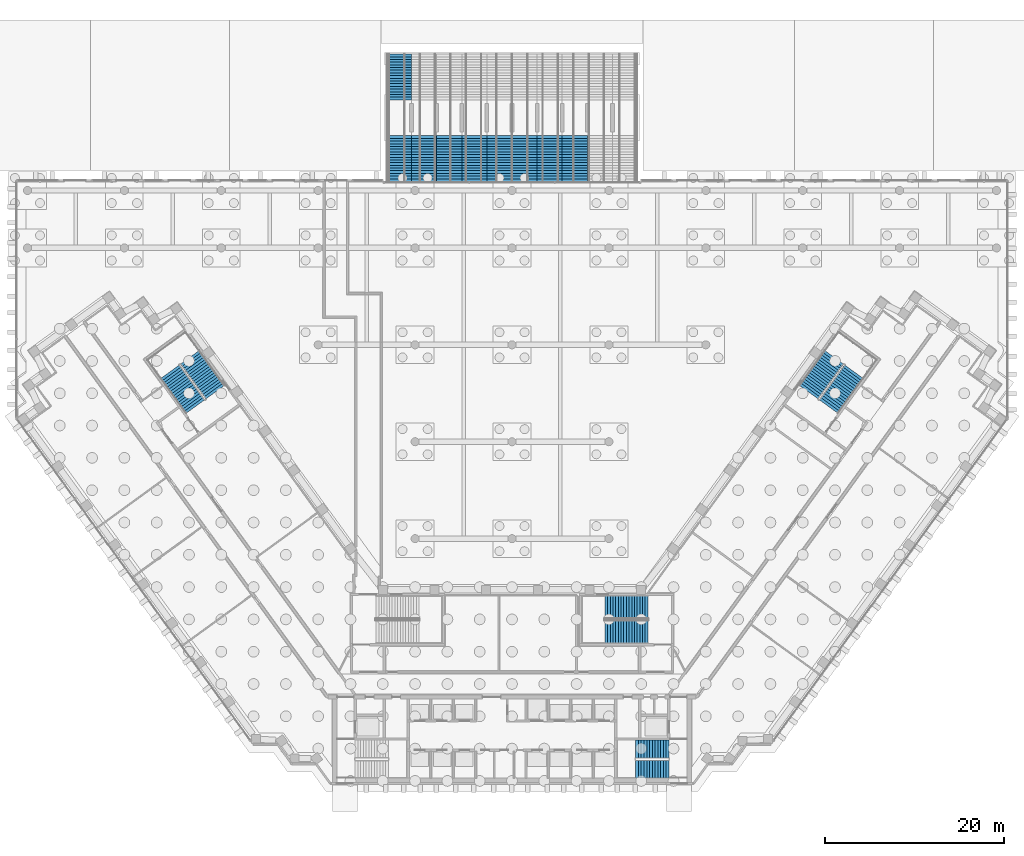
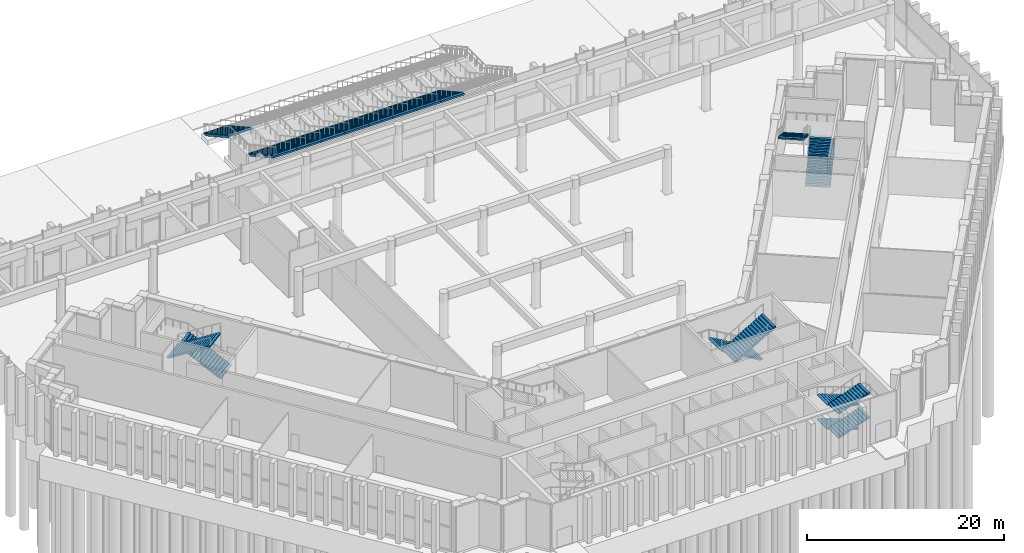
# One storey, part 23 of 32: 19 stair flights, 12 elements without a shape of their own.
"""IFC4 building model written with IfcOpenShell, lengths in metres."""

from ifc_helpers import new_model, si_unit, direction, frame, origin, place, context, subcontext, project, spatial, polyline, outline, extrude, material, type_object, element, aggregate, save


model = new_model("IFC4")

# Units and contexts
model_context = context("Model", 3, precision=1e-05, world=origin(), true_north=direction((0.0, 1.0)))
body_context = subcontext(model_context, "Body", "Model", "MODEL_VIEW")
ifc_project = project(units=[si_unit("LENGTHUNIT", "METRE"), si_unit("AREAUNIT", "SQUARE_METRE"), si_unit("VOLUMEUNIT", "CUBIC_METRE"), si_unit("PLANEANGLEUNIT", "RADIAN"), si_unit("MASSUNIT", "GRAM", prefix="KILO")], contexts=[model_context])

# Site, building, storey
site_placement = place(None, origin())
site = spatial("IfcSite", under=ifc_project, at=site_placement, CompositionType="ELEMENT")
building_placement = place(site_placement, origin())
building = spatial("IfcBuilding", under=site, at=building_placement, Name="Quipu Civic Tower", CompositionType="ELEMENT")
storey_placement = place(building_placement, origin())
storey = spatial("IfcBuildingStorey", under=building, at=storey_placement, Name="L00", CompositionType="ELEMENT", Elevation=0.0)

# Stair, stair flights
ifc_material_1 = material(Name="Concrete C40/50", Category="concrete")
stair_type_1 = type_object("IfcStairType", Name="Broad stair 2800", PredefinedType="STRAIGHT_RUN_STAIR", material=ifc_material_1)
stair_1_placement = place(storey_placement, origin())
stair_1 = element("IfcStair", 1, at=stair_1_placement, inside=storey, type_object=stair_type_1, Name="Broad garden stair", PredefinedType="STRAIGHT_RUN_STAIR")
ifc_material_2 = material(Name="Concrete C40/50", Category="concrete")
stair_flight_type_1 = type_object("IfcStairFlightType", Name="Broad stair flight 2800", PredefinedType="STRAIGHT", material=ifc_material_2)
stair_flight_1_placement = place(storey_placement, frame((-12.60009765625, 70.199951171875, 0.0), z_axis=(0.0, 0.0, 1.0), x_axis=(0.0, -1.0, 0.0)))
stair_flight_1 = element("IfcStairFlight", 2, at=stair_flight_1_placement, type_object=stair_flight_type_1, Name="BS1 flight 1", NumberOfRisers=18, NumberOfTreads=17, PredefinedType="STRAIGHT", RiserHeight=0.166666667, TreadLength=0.3, context=body_context, shape_type="SweptSolid", body=[
    extrude(outline(polyline([(0.0, 0.0), (0.0, 0.166748046875), (0.300048828125, 0.166748046875), (0.300048828125, 0.333251953125), (0.60009765625, 0.333251953125), (0.60009765625, 0.5), (0.89990234375, 0.5), (0.89990234375, 0.666748046875), (1.199951171875, 0.666748046875), (1.199951171875, 0.833251953125), (1.5, 0.833251953125), (1.5, 1.0), (1.800048828125, 1.0), (1.800048828125, 1.166748046875), (2.10009765625, 1.166748046875), (2.10009765625, 1.333251953125), (2.39990234375, 1.333251953125), (2.39990234375, 1.5), (2.699951171875, 1.5), (2.699951171875, 1.666748046875), (3.0, 1.666748046875), (3.0, 1.833251953125), (3.300048828125, 1.833251953125), (3.300048828125, 2.0), (3.60009765625, 2.0), (3.60009765625, 2.166748046875), (3.89990234375, 2.166748046875), (3.89990234375, 2.333251953125), (4.199951171875, 2.333251953125), (4.199951171875, 2.5), (4.5, 2.5), (4.5, 2.666748046875), (4.800048828125, 2.666748046875), (4.800048828125, 2.833251953125), (5.10009765625, 2.833251953125), (5.10009765625, 3.0), (5.10009765625, 2.6044921875), (0.41162109375, 0.0), (0.0, 0.0)])), frame((0.0, 1.39990234375, 0.0), z_axis=(0.0, -1.0, 0.0), x_axis=(1.0, 0.0, 0.0)), (0.0, 0.0, 1.0), 2.800048828125),
])
stair_flight_2_placement = place(storey_placement, frame((-12.60009765625, 61.10009765625, 3.0), z_axis=(0.0, 0.0, 1.0), x_axis=(0.0, -1.0, 0.0)))
stair_flight_2 = element("IfcStairFlight", 3, at=stair_flight_2_placement, type_object=stair_flight_type_1, Name="BS1 flight 2", NumberOfRisers=18, NumberOfTreads=17, PredefinedType="STRAIGHT", RiserHeight=0.166666667, TreadLength=0.3, context=body_context, shape_type="SweptSolid", body=[
    extrude(outline(polyline([(0.0, 0.0), (0.0, 0.166748046875), (0.300048828125, 0.166748046875), (0.300048828125, 0.333251953125), (0.60009765625, 0.333251953125), (0.60009765625, 0.5), (0.89990234375, 0.5), (0.89990234375, 0.666748046875), (1.199951171875, 0.666748046875), (1.199951171875, 0.833251953125), (1.5, 0.833251953125), (1.5, 1.0), (1.800048828125, 1.0), (1.800048828125, 1.166748046875), (2.10009765625, 1.166748046875), (2.10009765625, 1.333251953125), (2.39990234375, 1.333251953125), (2.39990234375, 1.5), (2.699951171875, 1.5), (2.699951171875, 1.666748046875), (3.0, 1.666748046875), (3.0, 1.833251953125), (3.300048828125, 1.833251953125), (3.300048828125, 2.0), (3.60009765625, 2.0), (3.60009765625, 2.166748046875), (3.89990234375, 2.166748046875), (3.89990234375, 2.333251953125), (4.199951171875, 2.333251953125), (4.199951171875, 2.5), (4.5, 2.5), (4.5, 2.666748046875), (4.800048828125, 2.666748046875), (4.800048828125, 2.833251953125), (5.10009765625, 2.833251953125), (5.10009765625, 3.0), (5.10009765625, 2.6044921875), (0.41162109375, 0.0), (0.0, 0.0)])), frame((0.0, 1.39990234375, 0.0), z_axis=(0.0, -1.0, 0.0), x_axis=(1.0, 0.0, 0.0)), (0.0, 0.0, 1.0), 2.800048828125),
])
aggregate(stair_1, [stair_flight_1, stair_flight_2])

# Stair, stair flight
stair_2_placement = place(storey_placement, origin())
stair_2 = element("IfcStair", 4, at=stair_2_placement, inside=storey, type_object=stair_type_1, Name="Broad garden stair", PredefinedType="STRAIGHT_RUN_STAIR")
stair_flight_3_placement = place(storey_placement, frame((-9.800048828125, 61.10009765625, 3.0), z_axis=(0.0, 0.0, 1.0), x_axis=(0.0, -1.0, 0.0)))
stair_flight_3 = element("IfcStairFlight", 5, at=stair_flight_3_placement, type_object=stair_flight_type_1, Name="BS2 flight 2", NumberOfRisers=18, NumberOfTreads=17, PredefinedType="STRAIGHT", RiserHeight=0.166666667, TreadLength=0.3, context=body_context, shape_type="SweptSolid", body=[
    extrude(outline(polyline([(0.0, 0.0), (0.0, 0.166748046875), (0.300048828125, 0.166748046875), (0.300048828125, 0.333251953125), (0.60009765625, 0.333251953125), (0.60009765625, 0.5), (0.89990234375, 0.5), (0.89990234375, 0.666748046875), (1.199951171875, 0.666748046875), (1.199951171875, 0.833251953125), (1.5, 0.833251953125), (1.5, 1.0), (1.800048828125, 1.0), (1.800048828125, 1.166748046875), (2.10009765625, 1.166748046875), (2.10009765625, 1.333251953125), (2.39990234375, 1.333251953125), (2.39990234375, 1.5), (2.699951171875, 1.5), (2.699951171875, 1.666748046875), (3.0, 1.666748046875), (3.0, 1.833251953125), (3.300048828125, 1.833251953125), (3.300048828125, 2.0), (3.60009765625, 2.0), (3.60009765625, 2.166748046875), (3.89990234375, 2.166748046875), (3.89990234375, 2.333251953125), (4.199951171875, 2.333251953125), (4.199951171875, 2.5), (4.5, 2.5), (4.5, 2.666748046875), (4.800048828125, 2.666748046875), (4.800048828125, 2.833251953125), (5.10009765625, 2.833251953125), (5.10009765625, 3.0), (5.10009765625, 2.6044921875), (0.41162109375, 0.0), (0.0, 0.0)])), frame((0.0, 1.39990234375, 0.0), z_axis=(0.0, -1.0, 0.0), x_axis=(1.0, 0.0, 0.0)), (0.0, 0.0, 1.0), 2.800048828125),
])
aggregate(stair_2, [stair_flight_3])

stair_3_placement = place(storey_placement, origin())
stair_3 = element("IfcStair", 6, at=stair_3_placement, inside=storey, type_object=stair_type_1, Name="Broad garden stair", PredefinedType="STRAIGHT_RUN_STAIR")
stair_flight_4_placement = place(storey_placement, frame((-7.0, 61.10009765625, 3.0), z_axis=(0.0, 0.0, 1.0), x_axis=(0.0, -1.0, 0.0)))
stair_flight_4 = element("IfcStairFlight", 7, at=stair_flight_4_placement, type_object=stair_flight_type_1, Name="BS3 flight 2", NumberOfRisers=18, NumberOfTreads=17, PredefinedType="STRAIGHT", RiserHeight=0.166666667, TreadLength=0.3, context=body_context, shape_type="SweptSolid", body=[
    extrude(outline(polyline([(0.0, 0.0), (0.0, 0.166748046875), (0.300048828125, 0.166748046875), (0.300048828125, 0.333251953125), (0.60009765625, 0.333251953125), (0.60009765625, 0.5), (0.89990234375, 0.5), (0.89990234375, 0.666748046875), (1.199951171875, 0.666748046875), (1.199951171875, 0.833251953125), (1.5, 0.833251953125), (1.5, 1.0), (1.800048828125, 1.0), (1.800048828125, 1.166748046875), (2.10009765625, 1.166748046875), (2.10009765625, 1.333251953125), (2.39990234375, 1.333251953125), (2.39990234375, 1.5), (2.699951171875, 1.5), (2.699951171875, 1.666748046875), (3.0, 1.666748046875), (3.0, 1.833251953125), (3.300048828125, 1.833251953125), (3.300048828125, 2.0), (3.60009765625, 2.0), (3.60009765625, 2.166748046875), (3.89990234375, 2.166748046875), (3.89990234375, 2.333251953125), (4.199951171875, 2.333251953125), (4.199951171875, 2.5), (4.5, 2.5), (4.5, 2.666748046875), (4.800048828125, 2.666748046875), (4.800048828125, 2.833251953125), (5.10009765625, 2.833251953125), (5.10009765625, 3.0), (5.10009765625, 2.6044921875), (0.41162109375, 0.0), (0.0, 0.0)])), frame((0.0, 1.39990234375, 0.0), z_axis=(0.0, -1.0, 0.0), x_axis=(1.0, 0.0, 0.0)), (0.0, 0.0, 1.0), 2.800048828125),
])
aggregate(stair_3, [stair_flight_4])

stair_4_placement = place(storey_placement, origin())
stair_4 = element("IfcStair", 8, at=stair_4_placement, inside=storey, type_object=stair_type_1, Name="Broad garden stair", PredefinedType="STRAIGHT_RUN_STAIR")
stair_flight_5_placement = place(storey_placement, frame((-4.199951171875, 61.10009765625, 3.0), z_axis=(0.0, 0.0, 1.0), x_axis=(0.0, -1.0, 0.0)))
stair_flight_5 = element("IfcStairFlight", 9, at=stair_flight_5_placement, type_object=stair_flight_type_1, Name="BS4 flight 2", NumberOfRisers=18, NumberOfTreads=17, PredefinedType="STRAIGHT", RiserHeight=0.166666667, TreadLength=0.3, context=body_context, shape_type="SweptSolid", body=[
    extrude(outline(polyline([(0.0, 0.0), (0.0, 0.166748046875), (0.300048828125, 0.166748046875), (0.300048828125, 0.333251953125), (0.60009765625, 0.333251953125), (0.60009765625, 0.5), (0.89990234375, 0.5), (0.89990234375, 0.666748046875), (1.199951171875, 0.666748046875), (1.199951171875, 0.833251953125), (1.5, 0.833251953125), (1.5, 1.0), (1.800048828125, 1.0), (1.800048828125, 1.166748046875), (2.10009765625, 1.166748046875), (2.10009765625, 1.333251953125), (2.39990234375, 1.333251953125), (2.39990234375, 1.5), (2.699951171875, 1.5), (2.699951171875, 1.666748046875), (3.0, 1.666748046875), (3.0, 1.833251953125), (3.300048828125, 1.833251953125), (3.300048828125, 2.0), (3.60009765625, 2.0), (3.60009765625, 2.166748046875), (3.89990234375, 2.166748046875), (3.89990234375, 2.333251953125), (4.199951171875, 2.333251953125), (4.199951171875, 2.5), (4.5, 2.5), (4.5, 2.666748046875), (4.800048828125, 2.666748046875), (4.800048828125, 2.833251953125), (5.10009765625, 2.833251953125), (5.10009765625, 3.0), (5.10009765625, 2.6044921875), (0.41162109375, 0.0), (0.0, 0.0)])), frame((0.0, 1.39990234375, 0.0), z_axis=(0.0, -1.0, 0.0), x_axis=(1.0, 0.0, 0.0)), (0.0, 0.0, 1.0), 2.800048828125),
])
aggregate(stair_4, [stair_flight_5])

stair_5_placement = place(storey_placement, origin())
stair_5 = element("IfcStair", 10, at=stair_5_placement, inside=storey, type_object=stair_type_1, Name="Broad garden stair", PredefinedType="STRAIGHT_RUN_STAIR")
stair_flight_6_placement = place(storey_placement, frame((-1.39990234375, 61.10009765625, 3.0), z_axis=(0.0, 0.0, 1.0), x_axis=(0.0, -1.0, 0.0)))
stair_flight_6 = element("IfcStairFlight", 11, at=stair_flight_6_placement, type_object=stair_flight_type_1, Name="BS5 flight 2", NumberOfRisers=18, NumberOfTreads=17, PredefinedType="STRAIGHT", RiserHeight=0.166666667, TreadLength=0.3, context=body_context, shape_type="SweptSolid", body=[
    extrude(outline(polyline([(0.0, 0.0), (0.0, 0.166748046875), (0.300048828125, 0.166748046875), (0.300048828125, 0.333251953125), (0.60009765625, 0.333251953125), (0.60009765625, 0.5), (0.89990234375, 0.5), (0.89990234375, 0.666748046875), (1.199951171875, 0.666748046875), (1.199951171875, 0.833251953125), (1.5, 0.833251953125), (1.5, 1.0), (1.800048828125, 1.0), (1.800048828125, 1.166748046875), (2.10009765625, 1.166748046875), (2.10009765625, 1.333251953125), (2.39990234375, 1.333251953125), (2.39990234375, 1.5), (2.699951171875, 1.5), (2.699951171875, 1.666748046875), (3.0, 1.666748046875), (3.0, 1.833251953125), (3.300048828125, 1.833251953125), (3.300048828125, 2.0), (3.60009765625, 2.0), (3.60009765625, 2.166748046875), (3.89990234375, 2.166748046875), (3.89990234375, 2.333251953125), (4.199951171875, 2.333251953125), (4.199951171875, 2.5), (4.5, 2.5), (4.5, 2.666748046875), (4.800048828125, 2.666748046875), (4.800048828125, 2.833251953125), (5.10009765625, 2.833251953125), (5.10009765625, 3.0), (5.10009765625, 2.6044921875), (0.41162109375, 0.0), (0.0, 0.0)])), frame((0.0, 1.39990234375, 0.0), z_axis=(0.0, -1.0, 0.0), x_axis=(1.0, 0.0, 0.0)), (0.0, 0.0, 1.0), 2.800048828125),
])
aggregate(stair_5, [stair_flight_6])

stair_6_placement = place(storey_placement, origin())
stair_6 = element("IfcStair", 12, at=stair_6_placement, inside=storey, type_object=stair_type_1, Name="Broad garden stair", PredefinedType="STRAIGHT_RUN_STAIR")
stair_flight_7_placement = place(storey_placement, frame((1.39990234375, 61.10009765625, 3.0), z_axis=(0.0, 0.0, 1.0), x_axis=(0.0, -1.0, 0.0)))
stair_flight_7 = element("IfcStairFlight", 13, at=stair_flight_7_placement, type_object=stair_flight_type_1, Name="BS6 flight 2", NumberOfRisers=18, NumberOfTreads=17, PredefinedType="STRAIGHT", RiserHeight=0.166666667, TreadLength=0.3, context=body_context, shape_type="SweptSolid", body=[
    extrude(outline(polyline([(0.0, 0.0), (0.0, 0.166748046875), (0.300048828125, 0.166748046875), (0.300048828125, 0.333251953125), (0.60009765625, 0.333251953125), (0.60009765625, 0.5), (0.89990234375, 0.5), (0.89990234375, 0.666748046875), (1.199951171875, 0.666748046875), (1.199951171875, 0.833251953125), (1.5, 0.833251953125), (1.5, 1.0), (1.800048828125, 1.0), (1.800048828125, 1.166748046875), (2.10009765625, 1.166748046875), (2.10009765625, 1.333251953125), (2.39990234375, 1.333251953125), (2.39990234375, 1.5), (2.699951171875, 1.5), (2.699951171875, 1.666748046875), (3.0, 1.666748046875), (3.0, 1.833251953125), (3.300048828125, 1.833251953125), (3.300048828125, 2.0), (3.60009765625, 2.0), (3.60009765625, 2.166748046875), (3.89990234375, 2.166748046875), (3.89990234375, 2.333251953125), (4.199951171875, 2.333251953125), (4.199951171875, 2.5), (4.5, 2.5), (4.5, 2.666748046875), (4.800048828125, 2.666748046875), (4.800048828125, 2.833251953125), (5.10009765625, 2.833251953125), (5.10009765625, 3.0), (5.10009765625, 2.6044921875), (0.41162109375, 0.0), (0.0, 0.0)])), frame((0.0, 1.39990234375, 0.0), z_axis=(0.0, -1.0, 0.0), x_axis=(1.0, 0.0, 0.0)), (0.0, 0.0, 1.0), 2.800048828125),
])
aggregate(stair_6, [stair_flight_7])

stair_7_placement = place(storey_placement, origin())
stair_7 = element("IfcStair", 14, at=stair_7_placement, inside=storey, type_object=stair_type_1, Name="Broad garden stair", PredefinedType="STRAIGHT_RUN_STAIR")
stair_flight_8_placement = place(storey_placement, frame((4.199951171875, 61.10009765625, 3.0), z_axis=(0.0, 0.0, 1.0), x_axis=(0.0, -1.0, 0.0)))
stair_flight_8 = element("IfcStairFlight", 15, at=stair_flight_8_placement, type_object=stair_flight_type_1, Name="BS7 flight 2", NumberOfRisers=18, NumberOfTreads=17, PredefinedType="STRAIGHT", RiserHeight=0.166666667, TreadLength=0.3, context=body_context, shape_type="SweptSolid", body=[
    extrude(outline(polyline([(0.0, 0.0), (0.0, 0.166748046875), (0.300048828125, 0.166748046875), (0.300048828125, 0.333251953125), (0.60009765625, 0.333251953125), (0.60009765625, 0.5), (0.89990234375, 0.5), (0.89990234375, 0.666748046875), (1.199951171875, 0.666748046875), (1.199951171875, 0.833251953125), (1.5, 0.833251953125), (1.5, 1.0), (1.800048828125, 1.0), (1.800048828125, 1.166748046875), (2.10009765625, 1.166748046875), (2.10009765625, 1.333251953125), (2.39990234375, 1.333251953125), (2.39990234375, 1.5), (2.699951171875, 1.5), (2.699951171875, 1.666748046875), (3.0, 1.666748046875), (3.0, 1.833251953125), (3.300048828125, 1.833251953125), (3.300048828125, 2.0), (3.60009765625, 2.0), (3.60009765625, 2.166748046875), (3.89990234375, 2.166748046875), (3.89990234375, 2.333251953125), (4.199951171875, 2.333251953125), (4.199951171875, 2.5), (4.5, 2.5), (4.5, 2.666748046875), (4.800048828125, 2.666748046875), (4.800048828125, 2.833251953125), (5.10009765625, 2.833251953125), (5.10009765625, 3.0), (5.10009765625, 2.6044921875), (0.41162109375, 0.0), (0.0, 0.0)])), frame((0.0, 1.39990234375, 0.0), z_axis=(0.0, -1.0, 0.0), x_axis=(1.0, 0.0, 0.0)), (0.0, 0.0, 1.0), 2.800048828125),
])
aggregate(stair_7, [stair_flight_8])

stair_8_placement = place(storey_placement, origin())
stair_8 = element("IfcStair", 16, at=stair_8_placement, inside=storey, type_object=stair_type_1, Name="Broad garden stair", PredefinedType="STRAIGHT_RUN_STAIR")
stair_flight_9_placement = place(storey_placement, frame((7.0, 61.10009765625, 3.0), z_axis=(0.0, 0.0, 1.0), x_axis=(0.0, -1.0, 0.0)))
stair_flight_9 = element("IfcStairFlight", 17, at=stair_flight_9_placement, type_object=stair_flight_type_1, Name="BS8 flight 2", NumberOfRisers=18, NumberOfTreads=17, PredefinedType="STRAIGHT", RiserHeight=0.166666667, TreadLength=0.3, context=body_context, shape_type="SweptSolid", body=[
    extrude(outline(polyline([(0.0, 0.0), (0.0, 0.166748046875), (0.300048828125, 0.166748046875), (0.300048828125, 0.333251953125), (0.60009765625, 0.333251953125), (0.60009765625, 0.5), (0.89990234375, 0.5), (0.89990234375, 0.666748046875), (1.199951171875, 0.666748046875), (1.199951171875, 0.833251953125), (1.5, 0.833251953125), (1.5, 1.0), (1.800048828125, 1.0), (1.800048828125, 1.166748046875), (2.10009765625, 1.166748046875), (2.10009765625, 1.333251953125), (2.39990234375, 1.333251953125), (2.39990234375, 1.5), (2.699951171875, 1.5), (2.699951171875, 1.666748046875), (3.0, 1.666748046875), (3.0, 1.833251953125), (3.300048828125, 1.833251953125), (3.300048828125, 2.0), (3.60009765625, 2.0), (3.60009765625, 2.166748046875), (3.89990234375, 2.166748046875), (3.89990234375, 2.333251953125), (4.199951171875, 2.333251953125), (4.199951171875, 2.5), (4.5, 2.5), (4.5, 2.666748046875), (4.800048828125, 2.666748046875), (4.800048828125, 2.833251953125), (5.10009765625, 2.833251953125), (5.10009765625, 3.0), (5.10009765625, 2.6044921875), (0.41162109375, 0.0), (0.0, 0.0)])), frame((0.0, 1.39990234375, 0.0), z_axis=(0.0, -1.0, 0.0), x_axis=(1.0, 0.0, 0.0)), (0.0, 0.0, 1.0), 2.800048828125),
])
aggregate(stair_8, [stair_flight_9])

# Stair, stair flights
ifc_material_3 = material(Name="Concrete C40/50", Category="concrete")
stair_type_2 = type_object("IfcStairType", Name="Half turn stair 2000", PredefinedType="HALF_TURN_STAIR", material=ifc_material_3)
stair_9_placement = place(storey_placement, origin())
stair_9 = element("IfcStair", 18, at=stair_9_placement, inside=storey, type_object=stair_type_2, Name="Exit stair 2", PredefinedType="HALF_TURN_STAIR")
ifc_material_4 = material(Name="Concrete C40/50", Category="concrete")
stair_flight_type_2 = type_object("IfcStairFlightType", Name="Stair flight 2000", PredefinedType="STRAIGHT", material=ifc_material_4)
stair_flight_10_placement = place(storey_placement, frame((17.5, -7.25, 0.0), z_axis=(0.0, 0.0, 1.0), x_axis=(-1.0, 0.0, 0.0)))
stair_flight_10 = element("IfcStairFlight", 19, at=stair_flight_10_placement, type_object=stair_flight_type_2, Name="ST-2 flight 1", NumberOfRisers=13, NumberOfTreads=12, PredefinedType="STRAIGHT", RiserHeight=0.115384615, TreadLength=0.31, context=body_context, shape_type="SweptSolid", body=[
    extrude(outline(polyline([(0.0, 0.0), (0.0, 0.115478515625), (0.31005859375, 0.115478515625), (0.31005859375, 0.230712890625), (0.6201171875, 0.230712890625), (0.6201171875, 0.34619140625), (0.929931640625, 0.34619140625), (0.929931640625, 0.46142578125), (1.239990234375, 0.46142578125), (1.239990234375, 0.576904296875), (1.550048828125, 0.576904296875), (1.550048828125, 0.6923828125), (1.860107421875, 0.6923828125), (1.860107421875, 0.8076171875), (2.169921875, 0.8076171875), (2.169921875, 0.923095703125), (2.47998046875, 0.923095703125), (2.47998046875, 1.03857421875), (2.7900390625, 1.03857421875), (2.7900390625, 1.15380859375), (3.10009765625, 1.15380859375), (3.10009765625, 1.269287109375), (3.409912109375, 1.269287109375), (3.409912109375, 1.384521484375), (3.719970703125, 1.384521484375), (3.719970703125, 1.5), (3.719970703125, 1.224609375), (0.4296875, 0.0), (0.0, 0.0)])), frame((0.0, 1.0, 0.0), z_axis=(0.0, -1.0, 0.0), x_axis=(1.0, 0.0, 0.0)), (0.0, 0.0, 1.0), 2.0),
])
stair_flight_11_placement = place(storey_placement, frame((13.780029296875, -9.5, 1.5), z_axis=(0.0, 0.0, 1.0), x_axis=(1.0, 0.0, 0.0)))
stair_flight_11 = element("IfcStairFlight", 20, at=stair_flight_11_placement, type_object=stair_flight_type_2, Name="ST-2 flight 2", NumberOfRisers=13, NumberOfTreads=12, PredefinedType="STRAIGHT", RiserHeight=0.115384615, TreadLength=0.31, context=body_context, shape_type="SweptSolid", body=[
    extrude(outline(polyline([(0.0, 0.0), (0.0, 0.115478515625), (0.31005859375, 0.115478515625), (0.31005859375, 0.230712890625), (0.6201171875, 0.230712890625), (0.6201171875, 0.34619140625), (0.929931640625, 0.34619140625), (0.929931640625, 0.46142578125), (1.239990234375, 0.46142578125), (1.239990234375, 0.576904296875), (1.550048828125, 0.576904296875), (1.550048828125, 0.6923828125), (1.860107421875, 0.6923828125), (1.860107421875, 0.8076171875), (2.169921875, 0.8076171875), (2.169921875, 0.923095703125), (2.47998046875, 0.923095703125), (2.47998046875, 1.03857421875), (2.7900390625, 1.03857421875), (2.7900390625, 1.15380859375), (3.10009765625, 1.15380859375), (3.10009765625, 1.269287109375), (3.409912109375, 1.269287109375), (3.409912109375, 1.384521484375), (3.719970703125, 1.384521484375), (3.719970703125, 1.5), (3.719970703125, 1.224609375), (0.4296875, 0.0), (0.0, 0.0)])), frame((0.0, 1.0, 0.0), z_axis=(0.0, -1.0, 0.0), x_axis=(1.0, 0.0, 0.0)), (0.0, 0.0, 1.0), 2.0),
])
stair_flight_12_placement = place(storey_placement, frame((17.5, -7.25, 3.0), z_axis=(0.0, 0.0, 1.0), x_axis=(-1.0, 0.0, 0.0)))
stair_flight_12 = element("IfcStairFlight", 21, at=stair_flight_12_placement, type_object=stair_flight_type_2, Name="ST-2 flight 3", NumberOfRisers=13, NumberOfTreads=12, PredefinedType="STRAIGHT", RiserHeight=0.115384615, TreadLength=0.31, context=body_context, shape_type="SweptSolid", body=[
    extrude(outline(polyline([(0.0, 0.0), (0.0, 0.115478515625), (0.31005859375, 0.115478515625), (0.31005859375, 0.230712890625), (0.6201171875, 0.230712890625), (0.6201171875, 0.34619140625), (0.929931640625, 0.34619140625), (0.929931640625, 0.46142578125), (1.239990234375, 0.46142578125), (1.239990234375, 0.576904296875), (1.550048828125, 0.576904296875), (1.550048828125, 0.6923828125), (1.860107421875, 0.6923828125), (1.860107421875, 0.8076171875), (2.169921875, 0.8076171875), (2.169921875, 0.923095703125), (2.47998046875, 0.923095703125), (2.47998046875, 1.03857421875), (2.7900390625, 1.03857421875), (2.7900390625, 1.15380859375), (3.10009765625, 1.15380859375), (3.10009765625, 1.269287109375), (3.409912109375, 1.269287109375), (3.409912109375, 1.384521484375), (3.719970703125, 1.384521484375), (3.719970703125, 1.5), (3.719970703125, 1.224609375), (0.4296875, 0.0), (0.0, 0.0)])), frame((0.0, 1.0, 0.0), z_axis=(0.0, -1.0, 0.0), x_axis=(1.0, 0.0, 0.0)), (0.0, 0.0, 1.0), 2.0),
])
stair_flight_13_placement = place(storey_placement, frame((13.780029296875, -9.5, 4.5), z_axis=(0.0, 0.0, 1.0), x_axis=(1.0, 0.0, 0.0)))
stair_flight_13 = element("IfcStairFlight", 22, at=stair_flight_13_placement, type_object=stair_flight_type_2, Name="ST-2 flight 4", NumberOfRisers=13, NumberOfTreads=12, PredefinedType="STRAIGHT", RiserHeight=0.115384615, TreadLength=0.31, context=body_context, shape_type="SweptSolid", body=[
    extrude(outline(polyline([(0.0, 0.0), (0.0, 0.115478515625), (0.31005859375, 0.115478515625), (0.31005859375, 0.230712890625), (0.6201171875, 0.230712890625), (0.6201171875, 0.34619140625), (0.929931640625, 0.34619140625), (0.929931640625, 0.46142578125), (1.239990234375, 0.46142578125), (1.239990234375, 0.576904296875), (1.550048828125, 0.576904296875), (1.550048828125, 0.6923828125), (1.860107421875, 0.6923828125), (1.860107421875, 0.8076171875), (2.169921875, 0.8076171875), (2.169921875, 0.923095703125), (2.47998046875, 0.923095703125), (2.47998046875, 1.03857421875), (2.7900390625, 1.03857421875), (2.7900390625, 1.15380859375), (3.10009765625, 1.15380859375), (3.10009765625, 1.269287109375), (3.409912109375, 1.269287109375), (3.409912109375, 1.384521484375), (3.719970703125, 1.384521484375), (3.719970703125, 1.5), (3.719970703125, 1.224609375), (0.4296875, 0.0), (0.0, 0.0)])), frame((0.0, 1.0, 0.0), z_axis=(0.0, -1.0, 0.0), x_axis=(1.0, 0.0, 0.0)), (0.0, 0.0, 1.0), 2.0),
])
aggregate(stair_9, [stair_flight_10, stair_flight_11, stair_flight_12, stair_flight_13])

ifc_material_5 = material(Name="Concrete C40/50", Category="concrete")
stair_type_3 = type_object("IfcStairType", Name="Half turn stair 2600", PredefinedType="HALF_TURN_STAIR", material=ifc_material_5)
stair_10_placement = place(storey_placement, origin())
stair_10 = element("IfcStair", 23, at=stair_10_placement, inside=storey, type_object=stair_type_3, Name="Exit stair 4", PredefinedType="HALF_TURN_STAIR")
ifc_material_6 = material(Name="Concrete C40/50", Category="concrete")
stair_flight_type_3 = type_object("IfcStairFlightType", Name="Stair flight 2600", PredefinedType="STRAIGHT", material=ifc_material_6)
stair_flight_14_placement = place(storey_placement, frame((15.14990234375, 8.550048828125, 0.0), z_axis=(0.0, 0.0, 1.0), x_axis=(-1.0, 0.0, 0.0)))
stair_flight_14 = element("IfcStairFlight", 24, at=stair_flight_14_placement, type_object=stair_flight_type_3, Name="ST-4 flight 1", NumberOfRisers=17, NumberOfTreads=16, PredefinedType="STRAIGHT", RiserHeight=0.176470588, TreadLength=0.3, context=body_context, shape_type="SweptSolid", body=[
    extrude(outline(polyline([(0.0, 0.0), (0.0, 0.176513671875), (0.300048828125, 0.176513671875), (0.300048828125, 0.35302734375), (0.60009765625, 0.35302734375), (0.60009765625, 0.529296875), (0.89990234375, 0.529296875), (0.89990234375, 0.705810546875), (1.199951171875, 0.705810546875), (1.199951171875, 0.88232421875), (1.5, 0.88232421875), (1.5, 1.058837890625), (1.800048828125, 1.058837890625), (1.800048828125, 1.2353515625), (2.10009765625, 1.2353515625), (2.10009765625, 1.411865234375), (2.39990234375, 1.411865234375), (2.39990234375, 1.588134765625), (2.699951171875, 1.588134765625), (2.699951171875, 1.7646484375), (3.0, 1.7646484375), (3.0, 1.941162109375), (3.300048828125, 1.941162109375), (3.300048828125, 2.11767578125), (3.60009765625, 2.11767578125), (3.60009765625, 2.294189453125), (3.89990234375, 2.294189453125), (3.89990234375, 2.470703125), (4.199951171875, 2.470703125), (4.199951171875, 2.64697265625), (4.5, 2.64697265625), (4.5, 2.823486328125), (4.800048828125, 2.823486328125), (4.800048828125, 3.0), (4.800048828125, 2.649658203125), (0.295654296875, 0.0), (0.0, 0.0)])), frame((0.0, 1.300048828125, 0.0), z_axis=(0.0, -1.0, 0.0), x_axis=(1.0, 0.0, 0.0)), (0.0, 0.0, 1.0), 2.60009765625),
])
stair_flight_15_placement = place(storey_placement, frame((10.35009765625, 5.800048828125, 3.0), z_axis=(0.0, 0.0, 1.0), x_axis=(1.0, 0.0, 0.0)))
stair_flight_15 = element("IfcStairFlight", 25, at=stair_flight_15_placement, type_object=stair_flight_type_3, Name="ST-4 flight 2", NumberOfRisers=17, NumberOfTreads=16, PredefinedType="STRAIGHT", RiserHeight=0.176470588, TreadLength=0.3, context=body_context, shape_type="SweptSolid", body=[
    extrude(outline(polyline([(0.0, 0.0), (0.0, 0.176513671875), (0.300048828125, 0.176513671875), (0.300048828125, 0.35302734375), (0.60009765625, 0.35302734375), (0.60009765625, 0.529296875), (0.89990234375, 0.529296875), (0.89990234375, 0.705810546875), (1.199951171875, 0.705810546875), (1.199951171875, 0.88232421875), (1.5, 0.88232421875), (1.5, 1.058837890625), (1.800048828125, 1.058837890625), (1.800048828125, 1.2353515625), (2.10009765625, 1.2353515625), (2.10009765625, 1.411865234375), (2.39990234375, 1.411865234375), (2.39990234375, 1.588134765625), (2.699951171875, 1.588134765625), (2.699951171875, 1.7646484375), (3.0, 1.7646484375), (3.0, 1.941162109375), (3.300048828125, 1.941162109375), (3.300048828125, 2.11767578125), (3.60009765625, 2.11767578125), (3.60009765625, 2.294189453125), (3.89990234375, 2.294189453125), (3.89990234375, 2.470703125), (4.199951171875, 2.470703125), (4.199951171875, 2.64697265625), (4.5, 2.64697265625), (4.5, 2.823486328125), (4.800048828125, 2.823486328125), (4.800048828125, 3.0), (4.800048828125, 2.649658203125), (0.295654296875, 0.0), (0.0, 0.0)])), frame((0.0, 1.300048828125, 0.0), z_axis=(0.0, -1.0, 0.0), x_axis=(1.0, 0.0, 0.0)), (0.0, 0.0, 1.0), 2.60009765625),
])
aggregate(stair_10, [stair_flight_14, stair_flight_15])

stair_11_placement = place(storey_placement, origin())
stair_11 = element("IfcStair", 26, at=stair_11_placement, inside=storey, type_object=stair_type_3, Name="Exit stair 6", PredefinedType="HALF_TURN_STAIR")
stair_flight_16_placement = place(storey_placement, frame((-33.067626953125, 32.5322265625, 0.0), z_axis=(0.0, 0.0, 1.0), x_axis=(-0.587785252292, 0.809016994375, 0.0)))
stair_flight_16 = element("IfcStairFlight", 27, at=stair_flight_16_placement, type_object=stair_flight_type_3, Name="ST-6 flight 1", NumberOfRisers=17, NumberOfTreads=16, PredefinedType="STRAIGHT", RiserHeight=0.176470588, TreadLength=0.3, context=body_context, shape_type="SweptSolid", body=[
    extrude(outline(polyline([(0.0, 0.0), (0.0, 0.176513671875), (0.300048828125, 0.176513671875), (0.300048828125, 0.35302734375), (0.60009765625, 0.35302734375), (0.60009765625, 0.529296875), (0.89990234375, 0.529296875), (0.89990234375, 0.705810546875), (1.199951171875, 0.705810546875), (1.199951171875, 0.88232421875), (1.5, 0.88232421875), (1.5, 1.058837890625), (1.800048828125, 1.058837890625), (1.800048828125, 1.2353515625), (2.10009765625, 1.2353515625), (2.10009765625, 1.411865234375), (2.39990234375, 1.411865234375), (2.39990234375, 1.588134765625), (2.699951171875, 1.588134765625), (2.699951171875, 1.7646484375), (3.0, 1.7646484375), (3.0, 1.941162109375), (3.300048828125, 1.941162109375), (3.300048828125, 2.11767578125), (3.60009765625, 2.11767578125), (3.60009765625, 2.294189453125), (3.89990234375, 2.294189453125), (3.89990234375, 2.470703125), (4.199951171875, 2.470703125), (4.199951171875, 2.64697265625), (4.5, 2.64697265625), (4.5, 2.823486328125), (4.800048828125, 2.823486328125), (4.800048828125, 3.0), (4.800048828125, 2.649658203125), (0.295654296875, 0.0), (0.0, 0.0)])), frame((0.0, 1.300048828125, 0.0), z_axis=(0.0, -1.0, 0.0), x_axis=(1.0, 0.0, 0.0)), (0.0, 0.0, 1.0), 2.60009765625),
])
stair_flight_17_placement = place(storey_placement, frame((-38.11376953125, 34.799072265625, 3.0), z_axis=(0.0, 0.0, 1.0), x_axis=(0.587785252292, -0.809016994375, 0.0)))
stair_flight_17 = element("IfcStairFlight", 28, at=stair_flight_17_placement, type_object=stair_flight_type_3, Name="ST-6 flight 2", NumberOfRisers=17, NumberOfTreads=16, PredefinedType="STRAIGHT", RiserHeight=0.176470588, TreadLength=0.3, context=body_context, shape_type="SweptSolid", body=[
    extrude(outline(polyline([(0.0, 0.0), (0.0, 0.176513671875), (0.300048828125, 0.176513671875), (0.300048828125, 0.35302734375), (0.60009765625, 0.35302734375), (0.60009765625, 0.529296875), (0.89990234375, 0.529296875), (0.89990234375, 0.705810546875), (1.199951171875, 0.705810546875), (1.199951171875, 0.88232421875), (1.5, 0.88232421875), (1.5, 1.058837890625), (1.800048828125, 1.058837890625), (1.800048828125, 1.2353515625), (2.10009765625, 1.2353515625), (2.10009765625, 1.411865234375), (2.39990234375, 1.411865234375), (2.39990234375, 1.588134765625), (2.699951171875, 1.588134765625), (2.699951171875, 1.7646484375), (3.0, 1.7646484375), (3.0, 1.941162109375), (3.300048828125, 1.941162109375), (3.300048828125, 2.11767578125), (3.60009765625, 2.11767578125), (3.60009765625, 2.294189453125), (3.89990234375, 2.294189453125), (3.89990234375, 2.470703125), (4.199951171875, 2.470703125), (4.199951171875, 2.64697265625), (4.5, 2.64697265625), (4.5, 2.823486328125), (4.800048828125, 2.823486328125), (4.800048828125, 3.0), (4.800048828125, 2.649658203125), (0.295654296875, 0.0), (0.0, 0.0)])), frame((0.0, 1.300048828125, 0.0), z_axis=(0.0, -1.0, 0.0), x_axis=(1.0, 0.0, 0.0)), (0.0, 0.0, 1.0), 2.60009765625),
])
aggregate(stair_11, [stair_flight_16, stair_flight_17])

stair_12_placement = place(storey_placement, origin())
stair_12 = element("IfcStair", 29, at=stair_12_placement, inside=storey, type_object=stair_type_3, Name="Exit stair 7", PredefinedType="HALF_TURN_STAIR")
stair_flight_18_placement = place(storey_placement, frame((35.29248046875, 30.915771484375, 0.0), z_axis=(0.0, 0.0, 1.0), x_axis=(0.587785252292, 0.809016994375, 0.0)))
stair_flight_18 = element("IfcStairFlight", 30, at=stair_flight_18_placement, type_object=stair_flight_type_3, Name="ST-7 flight 1", NumberOfRisers=17, NumberOfTreads=16, PredefinedType="STRAIGHT", RiserHeight=0.176470588, TreadLength=0.3, context=body_context, shape_type="SweptSolid", body=[
    extrude(outline(polyline([(0.0, 0.0), (0.0, 0.176513671875), (0.300048828125, 0.176513671875), (0.300048828125, 0.35302734375), (0.60009765625, 0.35302734375), (0.60009765625, 0.529296875), (0.89990234375, 0.529296875), (0.89990234375, 0.705810546875), (1.199951171875, 0.705810546875), (1.199951171875, 0.88232421875), (1.5, 0.88232421875), (1.5, 1.058837890625), (1.800048828125, 1.058837890625), (1.800048828125, 1.2353515625), (2.10009765625, 1.2353515625), (2.10009765625, 1.411865234375), (2.39990234375, 1.411865234375), (2.39990234375, 1.588134765625), (2.699951171875, 1.588134765625), (2.699951171875, 1.7646484375), (3.0, 1.7646484375), (3.0, 1.941162109375), (3.300048828125, 1.941162109375), (3.300048828125, 2.11767578125), (3.60009765625, 2.11767578125), (3.60009765625, 2.294189453125), (3.89990234375, 2.294189453125), (3.89990234375, 2.470703125), (4.199951171875, 2.470703125), (4.199951171875, 2.64697265625), (4.5, 2.64697265625), (4.5, 2.823486328125), (4.800048828125, 2.823486328125), (4.800048828125, 3.0), (4.800048828125, 2.649658203125), (0.295654296875, 0.0), (0.0, 0.0)])), frame((0.0, 1.300048828125, 0.0), z_axis=(0.0, -1.0, 0.0), x_axis=(1.0, 0.0, 0.0)), (0.0, 0.0, 1.0), 2.60009765625),
])
stair_flight_19_placement = place(storey_placement, frame((35.888916015625, 36.41552734375, 3.0), z_axis=(0.0, 0.0, 1.0), x_axis=(-0.587785252292, -0.809016994375, 0.0)))
stair_flight_19 = element("IfcStairFlight", 31, at=stair_flight_19_placement, type_object=stair_flight_type_3, Name="ST-7 flight 2", NumberOfRisers=17, NumberOfTreads=16, PredefinedType="STRAIGHT", RiserHeight=0.176470588, TreadLength=0.3, context=body_context, shape_type="SweptSolid", body=[
    extrude(outline(polyline([(0.0, 0.0), (0.0, 0.176513671875), (0.300048828125, 0.176513671875), (0.300048828125, 0.35302734375), (0.60009765625, 0.35302734375), (0.60009765625, 0.529296875), (0.89990234375, 0.529296875), (0.89990234375, 0.705810546875), (1.199951171875, 0.705810546875), (1.199951171875, 0.88232421875), (1.5, 0.88232421875), (1.5, 1.058837890625), (1.800048828125, 1.058837890625), (1.800048828125, 1.2353515625), (2.10009765625, 1.2353515625), (2.10009765625, 1.411865234375), (2.39990234375, 1.411865234375), (2.39990234375, 1.588134765625), (2.699951171875, 1.588134765625), (2.699951171875, 1.7646484375), (3.0, 1.7646484375), (3.0, 1.941162109375), (3.300048828125, 1.941162109375), (3.300048828125, 2.11767578125), (3.60009765625, 2.11767578125), (3.60009765625, 2.294189453125), (3.89990234375, 2.294189453125), (3.89990234375, 2.470703125), (4.199951171875, 2.470703125), (4.199951171875, 2.64697265625), (4.5, 2.64697265625), (4.5, 2.823486328125), (4.800048828125, 2.823486328125), (4.800048828125, 3.0), (4.800048828125, 2.649658203125), (0.295654296875, 0.0), (0.0, 0.0)])), frame((0.0, 1.300048828125, 0.0), z_axis=(0.0, -1.0, 0.0), x_axis=(1.0, 0.0, 0.0)), (0.0, 0.0, 1.0), 2.60009765625),
])
aggregate(stair_12, [stair_flight_18, stair_flight_19])

save(model, "model.ifc")
